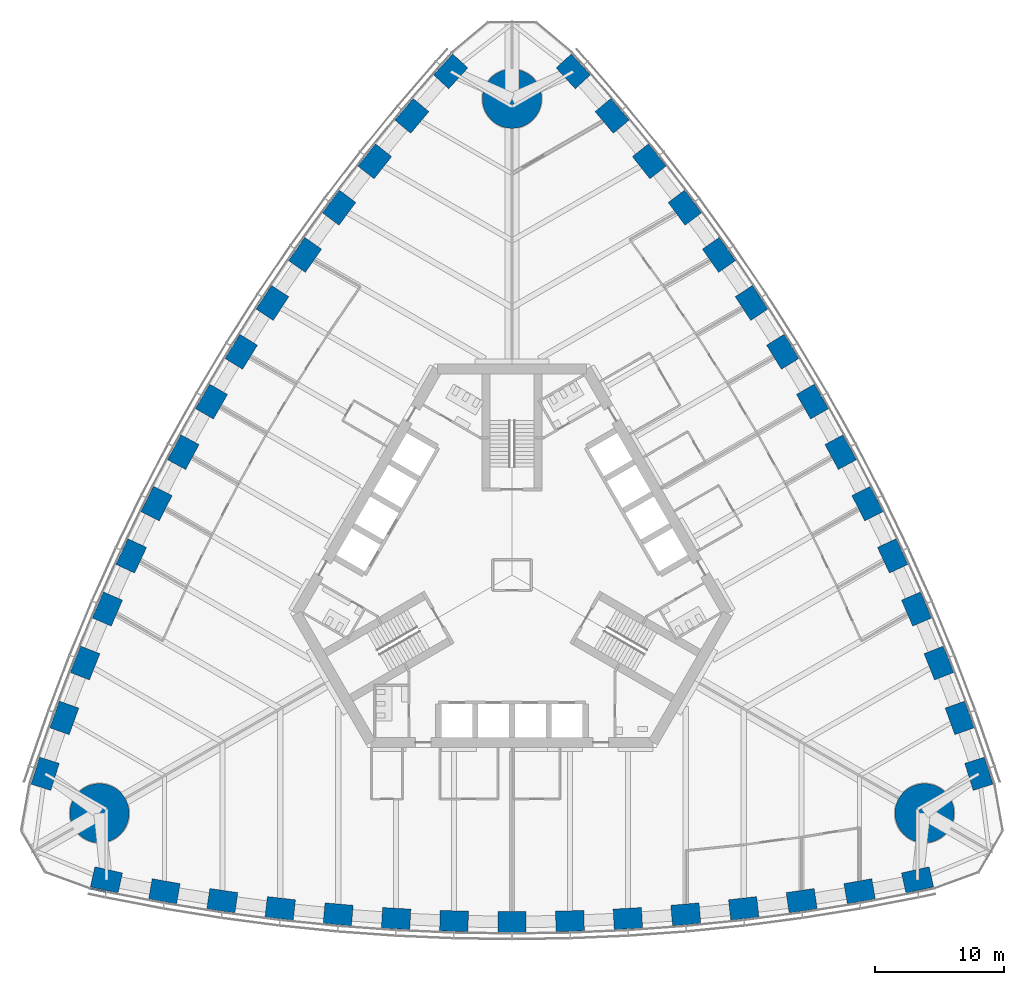
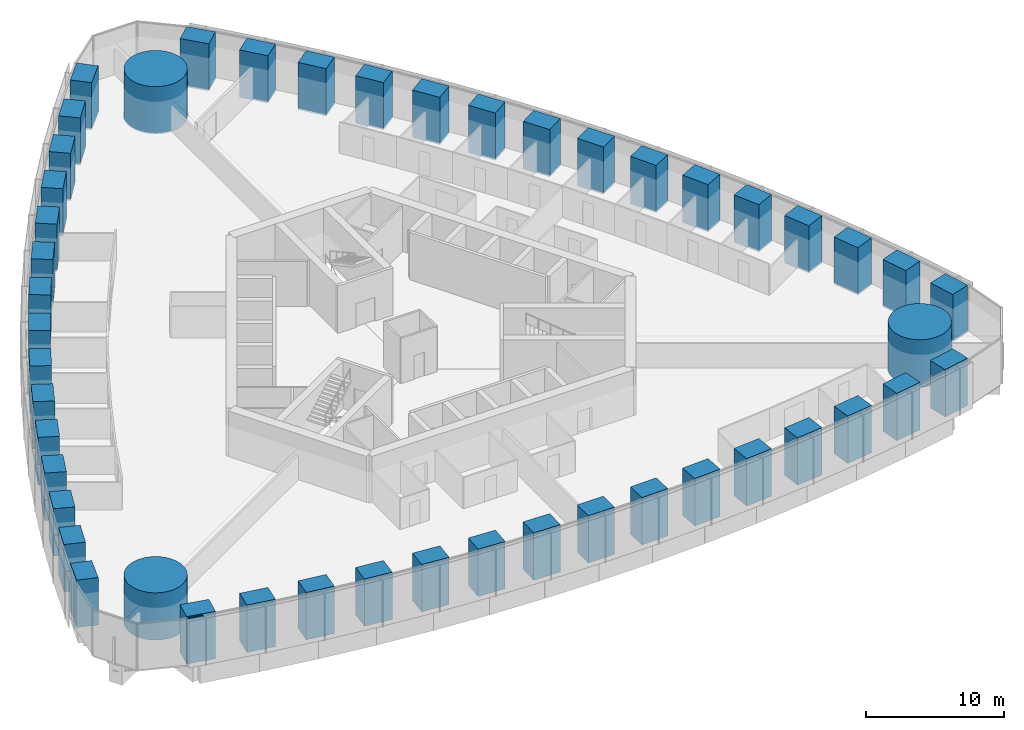
# One storey, part 1 of 19: 48 columns, 1 member, 1 element without a shape of its own.
"""IFC4 building model written with IfcOpenShell, lengths in metres."""

from ifc_helpers import new_model, si_unit, direction, frame, origin, origin_2d, place, context, subcontext, project, spatial, rectangle, circle, extrude, material, material_profile, profile_set, type_object, element, aggregate, save


model = new_model("IFC4")

# Units and contexts
model_context = context("Model", 3, precision=1e-05, world=origin(), true_north=direction((0.0, 1.0)))
body_context = subcontext(model_context, "Body", "Model", "MODEL_VIEW")
ifc_project = project(units=[si_unit("LENGTHUNIT", "METRE"), si_unit("AREAUNIT", "SQUARE_METRE"), si_unit("VOLUMEUNIT", "CUBIC_METRE"), si_unit("PLANEANGLEUNIT", "RADIAN"), si_unit("MASSUNIT", "GRAM", prefix="KILO")], contexts=[model_context])

# Site, building, storey
site_placement = place(None, origin())
site = spatial("IfcSite", under=ifc_project, at=site_placement, CompositionType="ELEMENT")
building_placement = place(site_placement, origin())
building = spatial("IfcBuilding", under=site, at=building_placement, Name="Trefoil Bronze Tower", CompositionType="ELEMENT")
storey_placement = place(building_placement, frame((0.0, 0.0, 79.5)))
storey = spatial("IfcBuildingStorey", under=building, at=storey_placement, Name="L18", CompositionType="ELEMENT", Elevation=79.5)

# Columns
ifc_material_1 = material(Name="Concrete B80", Category="concrete")
ifc_material_profile_1 = material_profile(ifc_material_1, circle(Radius=2.300048828125, at=origin_2d()), Name="RC D4600")
ifc_profile_set_1 = profile_set([ifc_material_profile_1], Name="Concrete B80")
column_type_1 = type_object("IfcColumnType", Name="Mega column RC D4600", PredefinedType="COLUMN", material=ifc_profile_set_1)
for number, where, z_axis, x_axis, name in (
    (1, (32.04296875, -18.5, 0.0), (0.0, 0.0, 1.0), (1.0, 0.0, 0.0), "Mega column K1 L18"),
    (2, (0.0, 37.0, 0.0), (0.0, 0.0, 1.0), (1.0, 0.0, 0.0), "Mega column K2 L18"),
    (3, (-32.04296875, -18.5, 0.0), (0.0, 0.0, 1.0), (1.0, 0.0, 0.0), "Mega column K3 L18"),
):
    element("IfcColumn", number, at=place(storey_placement, frame(where, z_axis=z_axis, x_axis=x_axis)), inside=storey, type_object=column_type_1, Name=name, PredefinedType="COLUMN", context=body_context, shape_type="SweptSolid", body=[
        extrude(circle(Radius=2.300048828125, at=origin_2d()), origin(), (0.0, 0.0, 1.0), 4.199951171875),
    ])
ifc_material_2 = material(Name="Concrete B80", Category="concrete")
ifc_material_profile_2 = material_profile(ifc_material_2, rectangle(XDim=2.199951171875, YDim=1.60009765625, at=origin_2d()), Name="RC 2200x1600")
ifc_profile_set_2 = profile_set([ifc_material_profile_2], Name="Concrete B80")
column_type_2 = type_object("IfcColumnType", Name="Tube column RC 2200x1600", PredefinedType="COLUMN", material=ifc_profile_set_2)
for number, where, z_axis, x_axis, name in (
    (4, (-31.5, -23.684814453125, 0.0), (0.0, 0.0, 1.0), (0.976229647342, -0.216738726697, 0.0), "Tube column F1/-7 L18"),
    (5, (-27.0, -24.56787109375, 0.0), (0.0, 0.0, 1.0), (0.984722470468, -0.174131146426, 0.0), "Tube column F1/-6 L18"),
    (6, (-22.5, -25.29931640625, 0.0), (0.0, 0.0, 1.0), (0.989415676546, -0.145108990094, 0.0), "Tube column F1/-5 L18"),
    (7, (-18.0, -25.895263671875, 0.0), (0.0, 0.0, 1.0), (0.993239048989, -0.116086999973, 0.0), "Tube column F1/-4 L18"),
    (8, (-13.5, -26.35693359375, 0.0), (0.0, 0.0, 1.0), (0.996202620701, -0.087065139456, 0.0), "Tube column F1/-3 L18"),
    (9, (-9.0, -26.68603515625, 0.0), (0.0, 0.0, 1.0), (0.998314062162, -0.058043374207, 0.0), "Tube column F1/-2 L18"),
    (10, (-4.5, -26.883056640625, 0.0), (0.0, 0.0, 1.0), (0.999578782577, -0.029021671584, 0.0), "Tube column F1/-1 L18"),
    (11, (0.0, -26.94873046875, 0.0), (0.0, 0.0, 1.0), (1.0, 0.0, 0.0), "Tube column F1/+0 L18"),
    (12, (4.5, -26.883056640625, 0.0), (0.0, 0.0, 1.0), (0.999578782577, 0.029021671584, 0.0), "Tube column F1/+1 L18"),
    (13, (9.0, -26.68603515625, 0.0), (0.0, 0.0, 1.0), (0.998314062162, 0.058043374207, 0.0), "Tube column F1/+2 L18"),
    (14, (13.5, -26.35693359375, 0.0), (0.0, 0.0, 1.0), (0.996202620701, 0.087065139456, 0.0), "Tube column F1/+3 L18"),
    (15, (18.0, -25.895263671875, 0.0), (0.0, 0.0, 1.0), (0.993239048989, 0.116086999973, 0.0), "Tube column F1/+4 L18"),
    (16, (22.5, -25.29931640625, 0.0), (0.0, 0.0, 1.0), (0.989415676546, 0.145108990094, 0.0), "Tube column F1/+5 L18"),
    (17, (27.0, -24.56787109375, 0.0), (0.0, 0.0, 1.0), (0.984722470468, 0.174131146426, 0.0), "Tube column F1/+6 L18"),
    (18, (31.5, -23.684814453125, 0.0), (0.0, 0.0, 1.0), (0.976229647342, 0.216738726697, 0.0), "Tube column F1/+7 L18"),
    (19, (36.26171875, -15.4375, 0.0), (0.0, 0.0, 1.0), (-0.300413580368, 0.953809037874, 0.0), "Tube column F2/-7 L18"),
    (20, (34.7763671875, -11.0986328125, 0.0), (0.0, 0.0, 1.0), (-0.341559238839, 0.939860248316, 0.0), "Tube column F2/-6 L18"),
    (21, (33.159912109375, -6.8359375, 0.0), (0.0, 0.0, 1.0), (-0.369039766534, 0.929413605838, 0.0), "Tube column F2/-5 L18"),
    (22, (31.42578125, -2.640869140625, 0.0), (0.0, 0.0, 1.0), (-0.396085233469, 0.918213748442, 0.0), "Tube column F2/-4 L18"),
    (23, (29.575927734375, 1.487060546875, 0.0), (0.0, 0.0, 1.0), (-0.422700687798, 0.906269346572, 0.0), "Tube column F2/-3 L18"),
    (24, (27.61083984375, 5.548828125, 0.0), (0.0, 0.0, 1.0), (-0.448889994497, 0.893587025891, 0.0), "Tube column F2/-2 L18"),
    (25, (25.531494140625, 9.54443359375, 0.0), (0.0, 0.0, 1.0), (-0.474655886437, 0.880171454588, 0.0), "Tube column F2/-1 L18"),
    (26, (23.33837890625, 13.474365234375, 0.0), (0.0, 0.0, 1.0), (-0.5, 0.866025403784, 0.0), "Tube column F2/+0 L18"),
    (27, (21.031494140625, 17.338623046875, 0.0), (0.0, 0.0, 1.0), (-0.524922896141, 0.851149783004, 0.0), "Tube column F2/+1 L18"),
    (28, (18.61083984375, 21.13720703125, 0.0), (0.0, 0.0, 1.0), (-0.549424067665, 0.835543651684, 0.0), "Tube column F2/+2 L18"),
    (29, (16.075927734375, 24.869873046875, 0.0), (0.0, 0.0, 1.0), (-0.573501932903, 0.819204207116, 0.0), "Tube column F2/+3 L18"),
    (30, (13.42578125, 28.5361328125, 0.0), (0.0, 0.0, 1.0), (-0.59715381552, 0.802126748469, 0.0), "Tube column F2/+4 L18"),
    (31, (10.659912109375, 32.13525390625, 0.0), (0.0, 0.0, 1.0), (-0.620375910011, 0.784304615744, 0.0), "Tube column F2/+5 L18"),
    (32, (7.7763671875, 35.666748046875, 0.0), (0.0, 0.0, 1.0), (-0.643163231629, 0.765729101889, 0.0), "Tube column F2/+6 L18"),
    (33, (4.76171875, 39.122314453125, 0.0), (0.0, 0.0, 1.0), (-0.675816066975, 0.737070311177, 0.0), "Tube column F2/+7 L18"),
    (34, (-4.76171875, 39.122314453125, 0.0), (0.0, 0.0, 1.0), (-0.675816066975, -0.737070311177, 0.0), "Tube column F3/-7 L18"),
    (35, (-7.7763671875, 35.666748046875, 0.0), (0.0, 0.0, 1.0), (-0.643163231629, -0.765729101889, 0.0), "Tube column F3/-6 L18"),
    (36, (-10.659912109375, 32.13525390625, 0.0), (0.0, 0.0, 1.0), (-0.620375910011, -0.784304615744, 0.0), "Tube column F3/-5 L18"),
    (37, (-13.42578125, 28.5361328125, 0.0), (0.0, 0.0, 1.0), (-0.59715381552, -0.802126748469, 0.0), "Tube column F3/-4 L18"),
    (38, (-16.075927734375, 24.869873046875, 0.0), (0.0, 0.0, 1.0), (-0.573501932903, -0.819204207116, 0.0), "Tube column F3/-3 L18"),
    (39, (-18.61083984375, 21.13720703125, 0.0), (0.0, 0.0, 1.0), (-0.549424067665, -0.835543651684, 0.0), "Tube column F3/-2 L18"),
    (40, (-21.031494140625, 17.338623046875, 0.0), (0.0, 0.0, 1.0), (-0.524922896141, -0.851149783004, 0.0), "Tube column F3/-1 L18"),
    (41, (-23.33837890625, 13.474365234375, 0.0), (0.0, 0.0, 1.0), (-0.5, -0.866025403784, 0.0), "Tube column F3/+0 L18"),
    (42, (-25.531494140625, 9.54443359375, 0.0), (0.0, 0.0, 1.0), (-0.474655886437, -0.880171454588, 0.0), "Tube column F3/+1 L18"),
    (43, (-27.61083984375, 5.548828125, 0.0), (0.0, 0.0, 1.0), (-0.448889994497, -0.893587025891, 0.0), "Tube column F3/+2 L18"),
    (44, (-29.575927734375, 1.487060546875, 0.0), (0.0, 0.0, 1.0), (-0.422700687798, -0.906269346572, 0.0), "Tube column F3/+3 L18"),
    (45, (-31.42578125, -2.640869140625, 0.0), (0.0, 0.0, 1.0), (-0.396085233469, -0.918213748442, 0.0), "Tube column F3/+4 L18"),
    (46, (-33.159912109375, -6.8359375, 0.0), (0.0, 0.0, 1.0), (-0.369039766534, -0.929413605838, 0.0), "Tube column F3/+5 L18"),
    (47, (-34.7763671875, -11.0986328125, 0.0), (0.0, 0.0, 1.0), (-0.341559238839, -0.939860248316, 0.0), "Tube column F3/+6 L18"),
    (48, (-36.26171875, -15.4375, 0.0), (0.0, 0.0, 1.0), (-0.300413580368, -0.953809037874, 0.0), "Tube column F3/+7 L18"),
):
    element("IfcColumn", number, at=place(storey_placement, frame(where, z_axis=z_axis, x_axis=x_axis)), inside=storey, type_object=column_type_2, Name=name, PredefinedType="COLUMN", context=body_context, shape_type="SweptSolid", body=[
        extrude(rectangle(XDim=2.199951171875, YDim=1.60009765625, at=origin_2d()), origin(), (0.0, 0.0, 1.0), 4.199951171875),
    ])

# Curtain wall, member
ifc_material_3 = material(Name="Tinted solar-control glass", Category="glass")
curtain_wall_type = type_object("IfcCurtainWallType", Name="Bronze office curtain wall", PredefinedType="USERDEFINED", material=ifc_material_3)
curtain_wall_placement = place(storey_placement, origin())
curtain_wall = element("IfcCurtainWall", 49, at=curtain_wall_placement, inside=storey, type_object=curtain_wall_type, Name="CW-A L18 F1", ObjectType="CURTAIN WALL", PredefinedType="USERDEFINED")
ifc_material_4 = material(Name="Bronze-finish aluminium", Category="aluminium")
ifc_material_profile_3 = material_profile(ifc_material_4, rectangle(XDim=0.1201171875, YDim=0.10009765625, at=origin_2d()), Name="CW-A transom")
ifc_profile_set_3 = profile_set([ifc_material_profile_3], Name="Bronze-finish aluminium")
member_type = type_object("IfcMemberType", Name="Bronze office curtain wall transom", PredefinedType="USERDEFINED", material=ifc_profile_set_3)
member_placement = place(storey_placement, frame((-32.743896484375, -24.354736328125, 4.1298828125), z_axis=(0.978266371807, -0.207352129942, 0.0), x_axis=(0.207352129942, 0.978266371807, 0.0)))
member = element("IfcMember", 50, at=member_placement, type_object=member_type, Name="CW-A L18 F1 transom 1", ObjectType="TRANSOM", PredefinedType="USERDEFINED", context=body_context, shape_type="SweptSolid", body=[
    extrude(rectangle(XDim=0.1201171875, YDim=0.10009765625, at=origin_2d()), origin(), (0.0, 0.0, 1.0), 1.21044921875),
])
aggregate(curtain_wall, [member])

save(model, "model.ifc")
